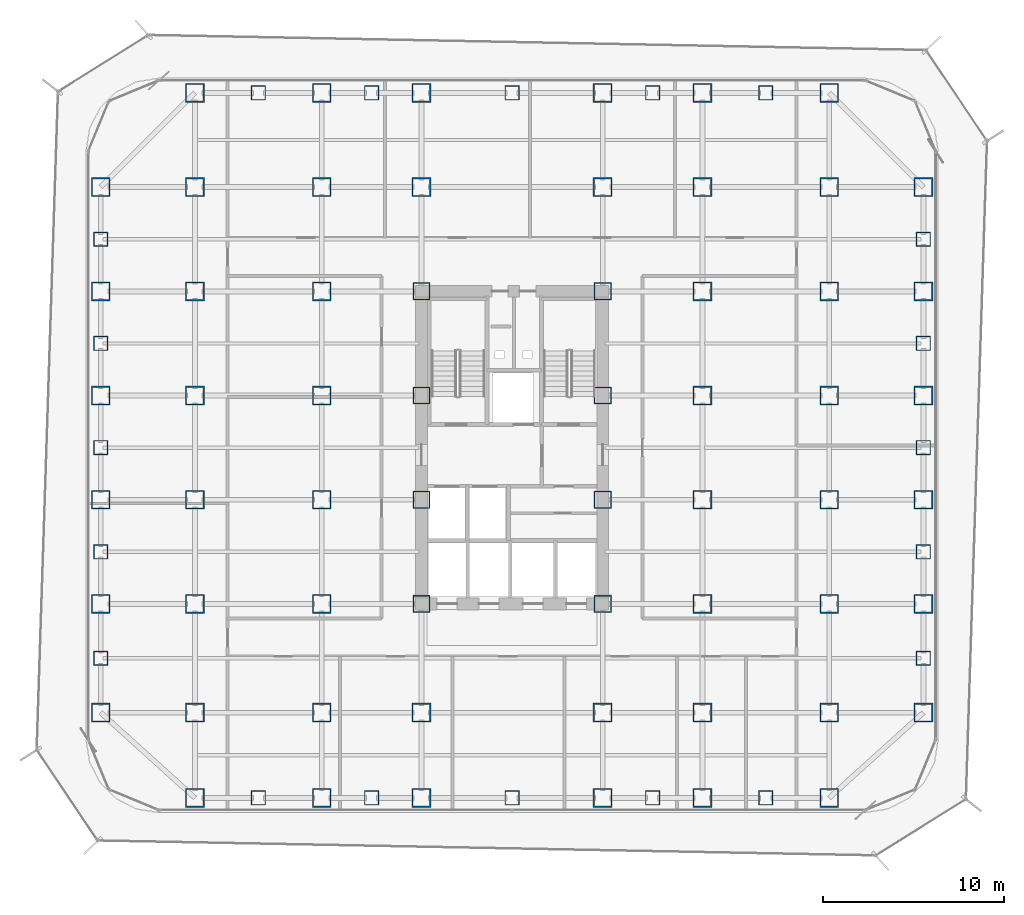
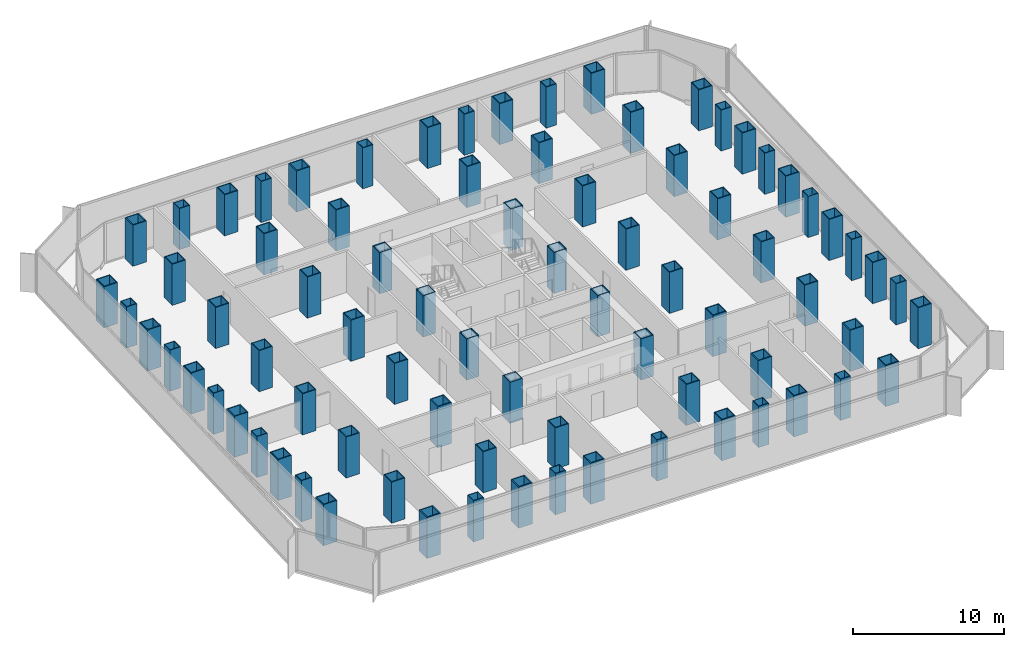
# One storey, part 1 of 22: 80 columns.
"""IFC4 building model written with IfcOpenShell, lengths in metres."""

from ifc_helpers import new_model, si_unit, direction, frame, origin, origin_2d, place, context, subcontext, project, spatial, hollow_rectangle, extrude, source, transform, mapped, material, material_profile, profile_set, type_object, element, save


model = new_model("IFC4")

# Units and contexts
model_context = context("Model", 3, precision=1e-05, world=origin(), true_north=direction((0.0, 1.0)))
body_context = subcontext(model_context, "Body", "Model", "MODEL_VIEW")
ifc_project = project(units=[si_unit("LENGTHUNIT", "METRE"), si_unit("AREAUNIT", "SQUARE_METRE"), si_unit("VOLUMEUNIT", "CUBIC_METRE"), si_unit("PLANEANGLEUNIT", "RADIAN"), si_unit("MASSUNIT", "GRAM", prefix="KILO")], contexts=[model_context])

# Site, building, storey
site_placement = place(None, origin())
site = spatial("IfcSite", under=ifc_project, at=site_placement, CompositionType="ELEMENT")
building_placement = place(site_placement, origin())
building = spatial("IfcBuilding", under=site, at=building_placement, Name="Kolveth Station Tower", CompositionType="ELEMENT")
storey_placement = place(building_placement, frame((0.0, 0.0, 69.300048828125)))
storey = spatial("IfcBuildingStorey", under=building, at=storey_placement, Name="L18", CompositionType="ELEMENT", Elevation=69.300048828125)

# Columns
ifc_material_1 = material(Name="Steel S460", Category="steel")
ifc_material_profile_1 = material_profile(ifc_material_1, hollow_rectangle(XDim=1.0400390625, YDim=1.0400390625, WallThickness=0.06494140625, at=origin_2d()), Name="BOX1040x1040x65")
ifc_profile_set_1 = profile_set([ifc_material_profile_1], Name="Steel S460")
column_type_1 = type_object("IfcColumnType", Name="Col_C2", PredefinedType="COLUMN", material=ifc_profile_set_1)
shared_shape_1 = source(origin(), body_context, "Body", "SweptSolid", [
    extrude(hollow_rectangle(XDim=1.0400390625, YDim=1.0400390625, WallThickness=0.06494140625, at=origin_2d()), origin(), (0.0, 0.0, 1.0), 3.320068359375),
])
for number, where, z_axis, x_axis, name in (
    (1, (6.0, 0.800048828125, 0.0), (0.0, 0.0, 1.0), (1.0, 0.0, 0.0), "L18 Tower Column S-X60"),
    (2, (6.0, 39.699951171875, 0.0), (0.0, 0.0, 1.0), (1.0, 0.0, 0.0), "L18 Tower Column N-X60"),
    (3, (13.0, 0.800048828125, 0.0), (0.0, 0.0, 1.0), (1.0, 0.0, 0.0), "L18 Tower Column S-X130"),
    (4, (13.0, 39.699951171875, 0.0), (0.0, 0.0, 1.0), (1.0, 0.0, 0.0), "L18 Tower Column N-X130"),
    (5, (18.5, 0.800048828125, 0.0), (0.0, 0.0, 1.0), (1.0, 0.0, 0.0), "L18 Tower Column S-X185"),
    (6, (18.5, 39.699951171875, 0.0), (0.0, 0.0, 1.0), (1.0, 0.0, 0.0), "L18 Tower Column N-X185"),
    (7, (28.5, 0.800048828125, 0.0), (0.0, 0.0, 1.0), (1.0, 0.0, 0.0), "L18 Tower Column S-X285"),
    (8, (28.5, 39.699951171875, 0.0), (0.0, 0.0, 1.0), (1.0, 0.0, 0.0), "L18 Tower Column N-X285"),
    (9, (34.0, 0.800048828125, 0.0), (0.0, 0.0, 1.0), (1.0, 0.0, 0.0), "L18 Tower Column S-X340"),
    (10, (34.0, 39.699951171875, 0.0), (0.0, 0.0, 1.0), (1.0, 0.0, 0.0), "L18 Tower Column N-X340"),
    (11, (41.0, 0.800048828125, 0.0), (0.0, 0.0, 1.0), (1.0, 0.0, 0.0), "L18 Tower Column S-X410"),
    (12, (41.0, 39.699951171875, 0.0), (0.0, 0.0, 1.0), (1.0, 0.0, 0.0), "L18 Tower Column N-X410"),
    (13, (0.800048828125, 5.5, 0.0), (0.0, 0.0, 1.0), (1.0, 0.0, 0.0), "L18 Tower Column W-Y55"),
    (14, (46.199951171875, 5.5, 0.0), (0.0, 0.0, 1.0), (1.0, 0.0, 0.0), "L18 Tower Column E-Y55"),
    (15, (0.800048828125, 11.5, 0.0), (0.0, 0.0, 1.0), (1.0, 0.0, 0.0), "L18 Tower Column W-Y115"),
    (16, (46.199951171875, 11.5, 0.0), (0.0, 0.0, 1.0), (1.0, 0.0, 0.0), "L18 Tower Column E-Y115"),
    (17, (0.800048828125, 17.25, 0.0), (0.0, 0.0, 1.0), (1.0, 0.0, 0.0), "L18 Tower Column W-Y172"),
    (18, (46.199951171875, 17.25, 0.0), (0.0, 0.0, 1.0), (1.0, 0.0, 0.0), "L18 Tower Column E-Y172"),
    (19, (0.800048828125, 23.0, 0.0), (0.0, 0.0, 1.0), (1.0, 0.0, 0.0), "L18 Tower Column W-Y230"),
    (20, (46.199951171875, 23.0, 0.0), (0.0, 0.0, 1.0), (1.0, 0.0, 0.0), "L18 Tower Column E-Y230"),
    (21, (0.800048828125, 28.75, 0.0), (0.0, 0.0, 1.0), (1.0, 0.0, 0.0), "L18 Tower Column W-Y287"),
    (22, (46.199951171875, 28.75, 0.0), (0.0, 0.0, 1.0), (1.0, 0.0, 0.0), "L18 Tower Column E-Y287"),
    (23, (0.800048828125, 34.5, 0.0), (0.0, 0.0, 1.0), (1.0, 0.0, 0.0), "L18 Tower Column W-Y345"),
    (24, (46.199951171875, 34.5, 0.0), (0.0, 0.0, 1.0), (1.0, 0.0, 0.0), "L18 Tower Column E-Y345"),
    (25, (6.0, 5.5, 0.0), (0.0, 0.0, 1.0), (1.0, 0.0, 0.0), "L18 Tower Column G-60-55"),
    (26, (6.0, 11.5, 0.0), (0.0, 0.0, 1.0), (1.0, 0.0, 0.0), "L18 Tower Column G-60-115"),
    (27, (6.0, 17.25, 0.0), (0.0, 0.0, 1.0), (1.0, 0.0, 0.0), "L18 Tower Column G-60-172"),
    (28, (6.0, 23.0, 0.0), (0.0, 0.0, 1.0), (1.0, 0.0, 0.0), "L18 Tower Column G-60-230"),
    (29, (6.0, 28.75, 0.0), (0.0, 0.0, 1.0), (1.0, 0.0, 0.0), "L18 Tower Column G-60-287"),
    (30, (6.0, 34.5, 0.0), (0.0, 0.0, 1.0), (1.0, 0.0, 0.0), "L18 Tower Column G-60-345"),
    (31, (13.0, 5.5, 0.0), (0.0, 0.0, 1.0), (1.0, 0.0, 0.0), "L18 Tower Column G-130-55"),
    (32, (13.0, 11.5, 0.0), (0.0, 0.0, 1.0), (1.0, 0.0, 0.0), "L18 Tower Column G-130-115"),
    (33, (13.0, 17.25, 0.0), (0.0, 0.0, 1.0), (1.0, 0.0, 0.0), "L18 Tower Column G-130-172"),
    (34, (13.0, 23.0, 0.0), (0.0, 0.0, 1.0), (1.0, 0.0, 0.0), "L18 Tower Column G-130-230"),
    (35, (13.0, 28.75, 0.0), (0.0, 0.0, 1.0), (1.0, 0.0, 0.0), "L18 Tower Column G-130-287"),
    (36, (13.0, 34.5, 0.0), (0.0, 0.0, 1.0), (1.0, 0.0, 0.0), "L18 Tower Column G-130-345"),
    (37, (18.5, 5.5, 0.0), (0.0, 0.0, 1.0), (1.0, 0.0, 0.0), "L18 Tower Column G-185-55"),
    (38, (18.5, 34.5, 0.0), (0.0, 0.0, 1.0), (1.0, 0.0, 0.0), "L18 Tower Column G-185-345"),
    (39, (28.5, 5.5, 0.0), (0.0, 0.0, 1.0), (1.0, 0.0, 0.0), "L18 Tower Column G-285-55"),
    (40, (28.5, 34.5, 0.0), (0.0, 0.0, 1.0), (1.0, 0.0, 0.0), "L18 Tower Column G-285-345"),
    (41, (34.0, 5.5, 0.0), (0.0, 0.0, 1.0), (1.0, 0.0, 0.0), "L18 Tower Column G-340-55"),
    (42, (34.0, 11.5, 0.0), (0.0, 0.0, 1.0), (1.0, 0.0, 0.0), "L18 Tower Column G-340-115"),
    (43, (34.0, 17.25, 0.0), (0.0, 0.0, 1.0), (1.0, 0.0, 0.0), "L18 Tower Column G-340-172"),
    (44, (34.0, 23.0, 0.0), (0.0, 0.0, 1.0), (1.0, 0.0, 0.0), "L18 Tower Column G-340-230"),
    (45, (34.0, 28.75, 0.0), (0.0, 0.0, 1.0), (1.0, 0.0, 0.0), "L18 Tower Column G-340-287"),
    (46, (34.0, 34.5, 0.0), (0.0, 0.0, 1.0), (1.0, 0.0, 0.0), "L18 Tower Column G-340-345"),
    (47, (41.0, 5.5, 0.0), (0.0, 0.0, 1.0), (1.0, 0.0, 0.0), "L18 Tower Column G-410-55"),
    (48, (41.0, 11.5, 0.0), (0.0, 0.0, 1.0), (1.0, 0.0, 0.0), "L18 Tower Column G-410-115"),
    (49, (41.0, 17.25, 0.0), (0.0, 0.0, 1.0), (1.0, 0.0, 0.0), "L18 Tower Column G-410-172"),
    (50, (41.0, 23.0, 0.0), (0.0, 0.0, 1.0), (1.0, 0.0, 0.0), "L18 Tower Column G-410-230"),
    (51, (41.0, 28.75, 0.0), (0.0, 0.0, 1.0), (1.0, 0.0, 0.0), "L18 Tower Column G-410-287"),
    (52, (41.0, 34.5, 0.0), (0.0, 0.0, 1.0), (1.0, 0.0, 0.0), "L18 Tower Column G-410-345"),
):
    element("IfcColumn", number, at=place(storey_placement, frame(where, z_axis=z_axis, x_axis=x_axis)), inside=storey, type_object=column_type_1, Name=name, PredefinedType="COLUMN", context=body_context, shape_type="MappedRepresentation", body=[
        mapped(shared_shape_1, transform((0.0, 0.0, 0.0), x_axis=(1.0, 0.0, 0.0), y_axis=(0.0, 1.0, 0.0), z_axis=(0.0, 0.0, 1.0), scale=1.0)),
    ])
ifc_material_profile_2 = material_profile(ifc_material_1, hollow_rectangle(XDim=0.9599609375, YDim=0.9599609375, WallThickness=0.06005859375, at=origin_2d()), Name="BOX960x960x60")
ifc_profile_set_2 = profile_set([ifc_material_profile_2], Name="Steel S460")
column_type_2 = type_object("IfcColumnType", Name="Col_C3", PredefinedType="COLUMN", material=ifc_profile_set_2)
shared_shape_2 = source(origin(), body_context, "Body", "SweptSolid", [
    extrude(hollow_rectangle(XDim=0.9599609375, YDim=0.9599609375, WallThickness=0.06005859375, at=origin_2d()), origin(), (0.0, 0.0, 1.0), 3.320068359375),
])
for number, where, z_axis, x_axis, name in (
    (53, (18.5, 11.5, 0.0), (0.0, 0.0, 1.0), (1.0, 0.0, 0.0), "L18 Tower Column G-185-115"),
    (54, (18.5, 17.25, 0.0), (0.0, 0.0, 1.0), (1.0, 0.0, 0.0), "L18 Tower Column G-185-172"),
    (55, (18.5, 23.0, 0.0), (0.0, 0.0, 1.0), (1.0, 0.0, 0.0), "L18 Tower Column G-185-230"),
    (56, (18.5, 28.75, 0.0), (0.0, 0.0, 1.0), (1.0, 0.0, 0.0), "L18 Tower Column G-185-287"),
    (57, (28.5, 11.5, 0.0), (0.0, 0.0, 1.0), (1.0, 0.0, 0.0), "L18 Tower Column G-285-115"),
    (58, (28.5, 17.25, 0.0), (0.0, 0.0, 1.0), (1.0, 0.0, 0.0), "L18 Tower Column G-285-172"),
    (59, (28.5, 23.0, 0.0), (0.0, 0.0, 1.0), (1.0, 0.0, 0.0), "L18 Tower Column G-285-230"),
    (60, (28.5, 28.75, 0.0), (0.0, 0.0, 1.0), (1.0, 0.0, 0.0), "L18 Tower Column G-285-287"),
):
    element("IfcColumn", number, at=place(storey_placement, frame(where, z_axis=z_axis, x_axis=x_axis)), inside=storey, type_object=column_type_2, Name=name, PredefinedType="COLUMN", context=body_context, shape_type="MappedRepresentation", body=[
        mapped(shared_shape_2, transform((0.0, 0.0, 0.0), x_axis=(1.0, 0.0, 0.0), y_axis=(0.0, 1.0, 0.0), z_axis=(0.0, 0.0, 1.0), scale=1.0)),
    ])
ifc_material_2 = material(Name="Steel S355", Category="steel")
ifc_material_profile_3 = material_profile(ifc_material_2, hollow_rectangle(XDim=0.800048828125, YDim=0.800048828125, WallThickness=0.044921875, at=origin_2d()), Name="BOX800x800x45")
ifc_profile_set_3 = profile_set([ifc_material_profile_3], Name="Steel S355")
column_type_3 = type_object("IfcColumnType", Name="Col_C5", PredefinedType="COLUMN", material=ifc_profile_set_3)
shared_shape_3 = source(origin(), body_context, "Body", "SweptSolid", [
    extrude(hollow_rectangle(XDim=0.800048828125, YDim=0.800048828125, WallThickness=0.044921875, at=origin_2d()), origin(), (0.0, 0.0, 1.0), 3.320068359375),
])
for number, where, z_axis, x_axis, name in (
    (61, (9.5, 0.800048828125, 0.0), (0.0, 0.0, 1.0), (1.0, 0.0, 0.0), "L18 Tower Column MS-X95"),
    (62, (9.5, 39.699951171875, 0.0), (0.0, 0.0, 1.0), (1.0, 0.0, 0.0), "L18 Tower Column MN-X95"),
    (63, (15.75, 0.800048828125, 0.0), (0.0, 0.0, 1.0), (1.0, 0.0, 0.0), "L18 Tower Column MS-X157"),
    (64, (15.75, 39.699951171875, 0.0), (0.0, 0.0, 1.0), (1.0, 0.0, 0.0), "L18 Tower Column MN-X157"),
    (65, (23.5, 0.800048828125, 0.0), (0.0, 0.0, 1.0), (1.0, 0.0, 0.0), "L18 Tower Column MS-X235"),
    (66, (23.5, 39.699951171875, 0.0), (0.0, 0.0, 1.0), (1.0, 0.0, 0.0), "L18 Tower Column MN-X235"),
    (67, (31.25, 0.800048828125, 0.0), (0.0, 0.0, 1.0), (1.0, 0.0, 0.0), "L18 Tower Column MS-X312"),
    (68, (31.25, 39.699951171875, 0.0), (0.0, 0.0, 1.0), (1.0, 0.0, 0.0), "L18 Tower Column MN-X312"),
    (69, (37.5, 0.800048828125, 0.0), (0.0, 0.0, 1.0), (1.0, 0.0, 0.0), "L18 Tower Column MS-X375"),
    (70, (37.5, 39.699951171875, 0.0), (0.0, 0.0, 1.0), (1.0, 0.0, 0.0), "L18 Tower Column MN-X375"),
    (71, (0.800048828125, 8.5, 0.0), (0.0, 0.0, 1.0), (1.0, 0.0, 0.0), "L18 Tower Column MW-Y85"),
    (72, (46.199951171875, 8.5, 0.0), (0.0, 0.0, 1.0), (1.0, 0.0, 0.0), "L18 Tower Column ME-Y85"),
    (73, (0.800048828125, 14.375, 0.0), (0.0, 0.0, 1.0), (1.0, 0.0, 0.0), "L18 Tower Column MW-Y143"),
    (74, (46.199951171875, 14.375, 0.0), (0.0, 0.0, 1.0), (1.0, 0.0, 0.0), "L18 Tower Column ME-Y143"),
    (75, (0.800048828125, 20.125, 0.0), (0.0, 0.0, 1.0), (1.0, 0.0, 0.0), "L18 Tower Column MW-Y201"),
    (76, (46.199951171875, 20.125, 0.0), (0.0, 0.0, 1.0), (1.0, 0.0, 0.0), "L18 Tower Column ME-Y201"),
    (77, (0.800048828125, 25.875, 0.0), (0.0, 0.0, 1.0), (1.0, 0.0, 0.0), "L18 Tower Column MW-Y258"),
    (78, (46.199951171875, 25.875, 0.0), (0.0, 0.0, 1.0), (1.0, 0.0, 0.0), "L18 Tower Column ME-Y258"),
    (79, (0.800048828125, 31.625, 0.0), (0.0, 0.0, 1.0), (1.0, 0.0, 0.0), "L18 Tower Column MW-Y316"),
    (80, (46.199951171875, 31.625, 0.0), (0.0, 0.0, 1.0), (1.0, 0.0, 0.0), "L18 Tower Column ME-Y316"),
):
    element("IfcColumn", number, at=place(storey_placement, frame(where, z_axis=z_axis, x_axis=x_axis)), inside=storey, type_object=column_type_3, Name=name, PredefinedType="COLUMN", context=body_context, shape_type="MappedRepresentation", body=[
        mapped(shared_shape_3, transform((0.0, 0.0, 0.0), x_axis=(1.0, 0.0, 0.0), y_axis=(0.0, 1.0, 0.0), z_axis=(0.0, 0.0, 1.0), scale=1.0)),
    ])

save(model, "model.ifc")
